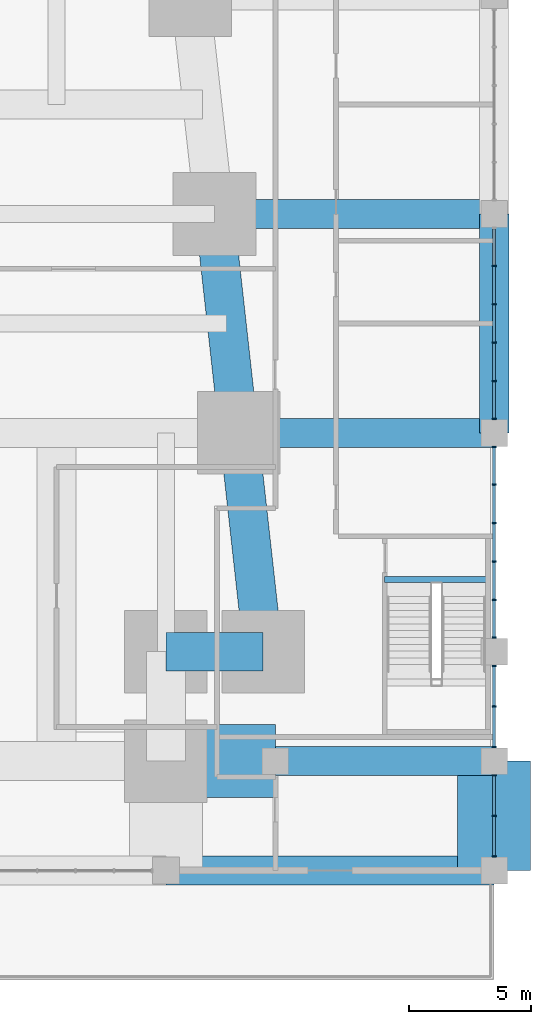
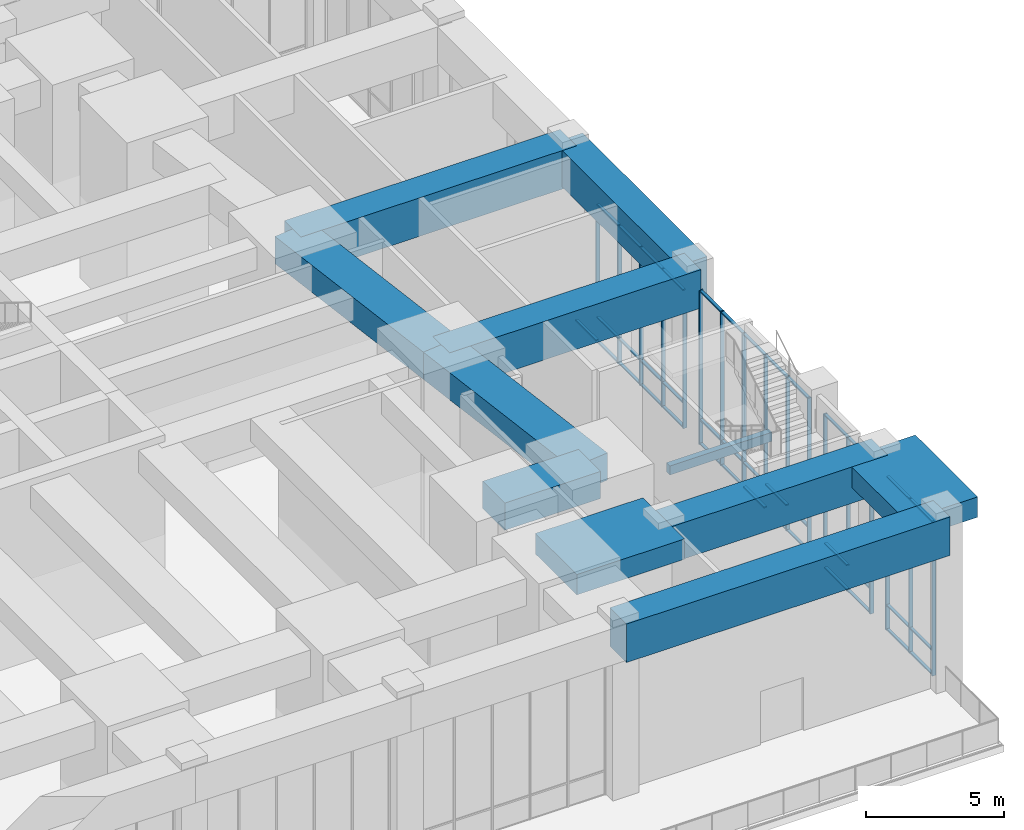
# One storey, part 11 of 26: 57 members, 11 beams, 4 elements without a shape of their own.
"""IFC4 building model written with IfcOpenShell, lengths in metres."""

from ifc_helpers import new_model, si_unit, direction, frame, origin, origin_2d, place, context, subcontext, project, spatial, rectangle, extrude, material, material_profile, profile_set, type_object, element, aggregate, save


model = new_model("IFC4")

# Units and contexts
model_context = context("Model", 3, precision=1e-05, world=origin(), true_north=direction((0.0, 1.0)))
body_context = subcontext(model_context, "Body", "Model", "MODEL_VIEW")
ifc_project = project(units=[si_unit("LENGTHUNIT", "METRE"), si_unit("AREAUNIT", "SQUARE_METRE"), si_unit("VOLUMEUNIT", "CUBIC_METRE"), si_unit("PLANEANGLEUNIT", "RADIAN"), si_unit("MASSUNIT", "GRAM", prefix="KILO")], contexts=[model_context])

# Site, building, storey
site_placement = place(None, origin())
site = spatial("IfcSite", under=ifc_project, at=site_placement, CompositionType="ELEMENT")
building_placement = place(site_placement, origin())
building = spatial("IfcBuilding", under=site, at=building_placement, Name="Kilele Tower Hotel", CompositionType="ELEMENT")
storey_placement = place(building_placement, frame((0.0, 0.0, 11.0)))
storey = spatial("IfcBuildingStorey", under=building, at=storey_placement, Name="L02", CompositionType="ELEMENT", Elevation=11.0)

# Beams
ifc_material_1 = material(Name="Concrete C60/75", Category="concrete")
ifc_material_profile_1 = material_profile(ifc_material_1, rectangle(XDim=1.199951171875, YDim=1.60009765625, at=origin_2d()))
ifc_profile_set_1 = profile_set([ifc_material_profile_1], Name="Concrete C60/75")
beam_type_1 = type_object("IfcBeamType", Name="Beam RC 1200x1600 C60/75", PredefinedType="BEAM", material=ifc_profile_set_1)
for number, where, z_axis, x_axis, name in (
    (1, (58.5, 13.5, 6.89990234375), (0.0, 1.0, 0.0), (-1.0, 0.0, 0.0), "Beam PB2 level L03"),
    (2, (49.5, 0.0, 6.89990234375), (1.0, 0.0, 0.0), (0.0, 1.0, 0.0), "Beam PB2 level L03"),
):
    element("IfcBeam", number, at=place(storey_placement, frame(where, z_axis=z_axis, x_axis=x_axis)), inside=storey, type_object=beam_type_1, Name=name, PredefinedType="BEAM", context=body_context, shape_type="SweptSolid", body=[
        extrude(rectangle(XDim=1.199951171875, YDim=1.60009765625, at=origin_2d()), origin(), (0.0, 0.0, 1.0), 9.0),
    ])
ifc_material_2 = material(Name="Concrete C60/75", Category="concrete")
ifc_material_profile_2 = material_profile(ifc_material_2, rectangle(XDim=1.199951171875, YDim=1.699951171875, at=origin_2d()))
ifc_profile_set_2 = profile_set([ifc_material_profile_2], Name="Concrete C60/75")
beam_type_2 = type_object("IfcBeamType", Name="Beam RC 1200x1700 C60/75", PredefinedType="BEAM", material=ifc_profile_set_2)
beam_1_placement = place(storey_placement, frame((45.0, -4.5, 6.85009765625), z_axis=(1.0, 0.0, 0.0), x_axis=(0.0, 1.0, 0.0)))
element("IfcBeam", 3, at=beam_1_placement, inside=storey, type_object=beam_type_2, Name="Beam PB3 level L03", PredefinedType="BEAM", context=body_context, shape_type="SweptSolid", body=[
    extrude(rectangle(XDim=1.199951171875, YDim=1.699951171875, at=origin_2d()), origin(), (0.0, 0.0, 1.0), 13.5),
])
ifc_material_3 = material(Name="Concrete C60/75", Category="concrete")
ifc_material_profile_3 = material_profile(ifc_material_3, rectangle(XDim=1.199951171875, YDim=1.699951171875, at=origin_2d()))
ifc_profile_set_3 = profile_set([ifc_material_profile_3], Name="Concrete C60/75")
beam_type_3 = type_object("IfcBeamType", Name="Beam RC 1200x1700 C60/75 mid span", PredefinedType="BEAM", material=ifc_profile_set_3)
beam_2_placement = place(storey_placement, frame((48.0, 13.5, 6.85009765625), z_axis=(1.0, 0.0, 0.0), x_axis=(0.0, 1.0, 0.0)))
element("IfcBeam", 4, at=beam_2_placement, inside=storey, type_object=beam_type_3, Name="Beam PB4 level L03", PredefinedType="BEAM", context=body_context, shape_type="SweptSolid", body=[
    extrude(rectangle(XDim=1.199951171875, YDim=1.699951171875, at=origin_2d()), origin(), (0.0, 0.0, 1.0), 10.5),
])
beam_3_placement = place(storey_placement, frame((47.0, 22.5, 6.85009765625), z_axis=(1.0, 0.0, 0.0), x_axis=(0.0, 1.0, 0.0)))
element("IfcBeam", 5, at=beam_3_placement, inside=storey, type_object=beam_type_3, Name="Beam PB4 level L03", PredefinedType="BEAM", context=body_context, shape_type="SweptSolid", body=[
    extrude(rectangle(XDim=1.199951171875, YDim=1.699951171875, at=origin_2d()), origin(), (0.0, 0.0, 1.0), 11.5),
])
ifc_material_4 = material(Name="Concrete C60/75", Category="concrete")
ifc_material_profile_4 = material_profile(ifc_material_4, rectangle(XDim=3.0, YDim=0.89990234375, at=origin_2d()))
ifc_profile_set_4 = profile_set([ifc_material_profile_4], Name="Concrete C60/75")
beam_type_4 = type_object("IfcBeamType", Name="Beam RC 3000x900 C60/75", PredefinedType="BEAM", material=ifc_profile_set_4)
for number, where, z_axis, x_axis, name in (
    (6, (45.0, 0.0, 7.25), (1.0, 0.0, 0.0), (0.0, 1.0, 0.0), "Beam PB1 level L03"),
    (7, (58.5, -4.5, 7.25), (0.0, 1.0, 0.0), (-1.0, 0.0, 0.0), "Beam PB1 level L03"),
):
    element("IfcBeam", number, at=place(storey_placement, frame(where, z_axis=z_axis, x_axis=x_axis)), inside=storey, type_object=beam_type_4, Name=name, PredefinedType="BEAM", context=body_context, shape_type="SweptSolid", body=[
        extrude(rectangle(XDim=3.0, YDim=0.89990234375, at=origin_2d()), origin(), (0.0, 0.0, 1.0), 4.5),
    ])
ifc_material_5 = material(Name="Concrete C40/50", Category="concrete")
ifc_material_profile_5 = material_profile(ifc_material_5, rectangle(XDim=0.25, YDim=0.39990234375, at=origin_2d()))
ifc_profile_set_5 = profile_set([ifc_material_profile_5], Name="Concrete C40/50")
beam_type_5 = type_object("IfcBeamType", Name="Landing beam RC 250x400 C40/50", PredefinedType="BEAM", material=ifc_profile_set_5)
beam_4_placement = place(storey_placement, frame((54.0, 7.47509765625, 3.77392578125), z_axis=(1.0, 0.0, 0.0), x_axis=(0.0, 1.0, 0.0)))
element("IfcBeam", 8, at=beam_4_placement, inside=storey, type_object=beam_type_5, Name="Landing beam ST5 L02", PredefinedType="BEAM", context=body_context, shape_type="SweptSolid", body=[
    extrude(rectangle(XDim=0.25, YDim=0.39990234375, at=origin_2d()), origin(), (0.0, 0.0, 1.0), 4.25),
])

# Curtain wall, members
ifc_material_6 = material(Name="Aluminium curtain wall, clear double glazing", Category="aluminium")
curtain_wall_type = type_object("IfcCurtainWallType", Name="Podium side curtain wall CW-2", PredefinedType="NOTDEFINED", material=ifc_material_6)
curtain_wall_1_placement = place(storey_placement, origin())
curtain_wall_1 = element("IfcCurtainWall", 9, at=curtain_wall_1_placement, inside=storey, type_object=curtain_wall_type, Name="Podium side curtain wall CW-2 L02", PredefinedType="NOTDEFINED")
ifc_material_7 = material(Name="Aluminium EN AW-6063 T6", Category="aluminium")
ifc_material_profile_6 = material_profile(ifc_material_7, rectangle(XDim=0.159912109375, YDim=0.06005859375, at=origin_2d()))
ifc_profile_set_6 = profile_set([ifc_material_profile_6], Name="Aluminium EN AW-6063 T6")
member_type_1 = type_object("IfcMemberType", Name="Mullion 60x160 CW-2", PredefinedType="MULLION", material=ifc_profile_set_6)
member_1_placement = place(storey_placement, frame((58.5, -3.919921875, 0.0), z_axis=(0.0, 0.0, 1.0), x_axis=(-1.0, 0.0, 0.0)))
member_1 = element("IfcMember", 10, at=member_1_placement, type_object=member_type_1, Name="CW-2 mullion 1", PredefinedType="MULLION", context=body_context, shape_type="SweptSolid", body=[
    extrude(rectangle(XDim=0.159912109375, YDim=0.06005859375, at=origin_2d()), origin(), (0.0, 0.0, 1.0), 6.800048828125),
])
member_2_placement = place(storey_placement, frame((58.5, -2.25, 0.0), z_axis=(0.0, 0.0, 1.0), x_axis=(-1.0, 0.0, 0.0)))
member_2 = element("IfcMember", 11, at=member_2_placement, type_object=member_type_1, Name="CW-2 mullion 2", PredefinedType="MULLION", context=body_context, shape_type="SweptSolid", body=[
    extrude(rectangle(XDim=0.159912109375, YDim=0.06005859375, at=origin_2d()), origin(), (0.0, 0.0, 1.0), 6.800048828125),
])
member_3_placement = place(storey_placement, frame((58.5, -0.580078125, 0.0), z_axis=(0.0, 0.0, 1.0), x_axis=(-1.0, 0.0, 0.0)))
member_3 = element("IfcMember", 12, at=member_3_placement, type_object=member_type_1, Name="CW-2 mullion 3", PredefinedType="MULLION", context=body_context, shape_type="SweptSolid", body=[
    extrude(rectangle(XDim=0.159912109375, YDim=0.06005859375, at=origin_2d()), origin(), (0.0, 0.0, 1.0), 6.800048828125),
])

curtain_wall_2_placement = place(storey_placement, origin())
curtain_wall_2 = element("IfcCurtainWall", 13, at=curtain_wall_2_placement, inside=storey, type_object=curtain_wall_type, Name="Podium side curtain wall CW-2 L02", PredefinedType="NOTDEFINED")
member_4_placement = place(storey_placement, frame((58.5, 0.580078125, 0.0), z_axis=(0.0, 0.0, 1.0), x_axis=(-1.0, 0.0, 0.0)))
member_4 = element("IfcMember", 14, at=member_4_placement, type_object=member_type_1, Name="CW-2 mullion 1", PredefinedType="MULLION", context=body_context, shape_type="SweptSolid", body=[
    extrude(rectangle(XDim=0.159912109375, YDim=0.06005859375, at=origin_2d()), origin(), (0.0, 0.0, 1.0), 6.800048828125),
])
member_5_placement = place(storey_placement, frame((58.5, 2.25, 0.0), z_axis=(0.0, 0.0, 1.0), x_axis=(-1.0, 0.0, 0.0)))
member_5 = element("IfcMember", 15, at=member_5_placement, type_object=member_type_1, Name="CW-2 mullion 2", PredefinedType="MULLION", context=body_context, shape_type="SweptSolid", body=[
    extrude(rectangle(XDim=0.159912109375, YDim=0.06005859375, at=origin_2d()), origin(), (0.0, 0.0, 1.0), 6.800048828125),
])
member_6_placement = place(storey_placement, frame((58.5, 3.919921875, 0.0), z_axis=(0.0, 0.0, 1.0), x_axis=(-1.0, 0.0, 0.0)))
member_6 = element("IfcMember", 16, at=member_6_placement, type_object=member_type_1, Name="CW-2 mullion 3", PredefinedType="MULLION", context=body_context, shape_type="SweptSolid", body=[
    extrude(rectangle(XDim=0.159912109375, YDim=0.06005859375, at=origin_2d()), origin(), (0.0, 0.0, 1.0), 6.800048828125),
])

curtain_wall_3_placement = place(storey_placement, origin())
curtain_wall_3 = element("IfcCurtainWall", 17, at=curtain_wall_3_placement, inside=storey, type_object=curtain_wall_type, Name="Podium side curtain wall CW-2 L02", PredefinedType="NOTDEFINED")
member_7_placement = place(storey_placement, frame((58.5, 5.080078125, 0.0), z_axis=(0.0, 0.0, 1.0), x_axis=(-1.0, 0.0, 0.0)))
member_7 = element("IfcMember", 18, at=member_7_placement, type_object=member_type_1, Name="CW-2 mullion 1", PredefinedType="MULLION", context=body_context, shape_type="SweptSolid", body=[
    extrude(rectangle(XDim=0.159912109375, YDim=0.06005859375, at=origin_2d()), origin(), (0.0, 0.0, 1.0), 6.800048828125),
])
member_8_placement = place(storey_placement, frame((58.5, 6.6298828125, 0.0), z_axis=(0.0, 0.0, 1.0), x_axis=(-1.0, 0.0, 0.0)))
member_8 = element("IfcMember", 19, at=member_8_placement, type_object=member_type_1, Name="CW-2 mullion 2", PredefinedType="MULLION", context=body_context, shape_type="SweptSolid", body=[
    extrude(rectangle(XDim=0.159912109375, YDim=0.06005859375, at=origin_2d()), origin(), (0.0, 0.0, 1.0), 6.800048828125),
])
member_9_placement = place(storey_placement, frame((58.5, 8.2099609375, 0.0), z_axis=(0.0, 0.0, 1.0), x_axis=(-1.0, 0.0, 0.0)))
member_9 = element("IfcMember", 20, at=member_9_placement, type_object=member_type_1, Name="CW-2 mullion 3", PredefinedType="MULLION", context=body_context, shape_type="SweptSolid", body=[
    extrude(rectangle(XDim=0.159912109375, YDim=0.06005859375, at=origin_2d()), origin(), (0.0, 0.0, 1.0), 6.800048828125),
])
member_10_placement = place(storey_placement, frame((58.5, 9.7900390625, 0.0), z_axis=(0.0, 0.0, 1.0), x_axis=(-1.0, 0.0, 0.0)))
member_10 = element("IfcMember", 21, at=member_10_placement, type_object=member_type_1, Name="CW-2 mullion 4", PredefinedType="MULLION", context=body_context, shape_type="SweptSolid", body=[
    extrude(rectangle(XDim=0.159912109375, YDim=0.06005859375, at=origin_2d()), origin(), (0.0, 0.0, 1.0), 6.800048828125),
])
member_11_placement = place(storey_placement, frame((58.5, 11.3701171875, 0.0), z_axis=(0.0, 0.0, 1.0), x_axis=(-1.0, 0.0, 0.0)))
member_11 = element("IfcMember", 22, at=member_11_placement, type_object=member_type_1, Name="CW-2 mullion 5", PredefinedType="MULLION", context=body_context, shape_type="SweptSolid", body=[
    extrude(rectangle(XDim=0.159912109375, YDim=0.06005859375, at=origin_2d()), origin(), (0.0, 0.0, 1.0), 6.800048828125),
])
member_12_placement = place(storey_placement, frame((58.5, 12.919921875, 0.0), z_axis=(0.0, 0.0, 1.0), x_axis=(-1.0, 0.0, 0.0)))
member_12 = element("IfcMember", 23, at=member_12_placement, type_object=member_type_1, Name="CW-2 mullion 6", PredefinedType="MULLION", context=body_context, shape_type="SweptSolid", body=[
    extrude(rectangle(XDim=0.159912109375, YDim=0.06005859375, at=origin_2d()), origin(), (0.0, 0.0, 1.0), 6.800048828125),
])

curtain_wall_4_placement = place(storey_placement, origin())
curtain_wall_4 = element("IfcCurtainWall", 24, at=curtain_wall_4_placement, inside=storey, type_object=curtain_wall_type, Name="Podium side curtain wall CW-2 L02", PredefinedType="NOTDEFINED")
member_13_placement = place(storey_placement, frame((58.5, 14.080078125, 0.0), z_axis=(0.0, 0.0, 1.0), x_axis=(-1.0, 0.0, 0.0)))
member_13 = element("IfcMember", 25, at=member_13_placement, type_object=member_type_1, Name="CW-2 mullion 1", PredefinedType="MULLION", context=body_context, shape_type="SweptSolid", body=[
    extrude(rectangle(XDim=0.159912109375, YDim=0.06005859375, at=origin_2d()), origin(), (0.0, 0.0, 1.0), 6.10009765625),
])
member_14_placement = place(storey_placement, frame((58.5, 15.6298828125, 0.0), z_axis=(0.0, 0.0, 1.0), x_axis=(-1.0, 0.0, 0.0)))
member_14 = element("IfcMember", 26, at=member_14_placement, type_object=member_type_1, Name="CW-2 mullion 2", PredefinedType="MULLION", context=body_context, shape_type="SweptSolid", body=[
    extrude(rectangle(XDim=0.159912109375, YDim=0.06005859375, at=origin_2d()), origin(), (0.0, 0.0, 1.0), 6.10009765625),
])
member_15_placement = place(storey_placement, frame((58.5, 17.2099609375, 0.0), z_axis=(0.0, 0.0, 1.0), x_axis=(-1.0, 0.0, 0.0)))
member_15 = element("IfcMember", 27, at=member_15_placement, type_object=member_type_1, Name="CW-2 mullion 3", PredefinedType="MULLION", context=body_context, shape_type="SweptSolid", body=[
    extrude(rectangle(XDim=0.159912109375, YDim=0.06005859375, at=origin_2d()), origin(), (0.0, 0.0, 1.0), 6.10009765625),
])
member_16_placement = place(storey_placement, frame((58.5, 18.7900390625, 0.0), z_axis=(0.0, 0.0, 1.0), x_axis=(-1.0, 0.0, 0.0)))
member_16 = element("IfcMember", 28, at=member_16_placement, type_object=member_type_1, Name="CW-2 mullion 4", PredefinedType="MULLION", context=body_context, shape_type="SweptSolid", body=[
    extrude(rectangle(XDim=0.159912109375, YDim=0.06005859375, at=origin_2d()), origin(), (0.0, 0.0, 1.0), 6.10009765625),
])
member_17_placement = place(storey_placement, frame((58.5, 20.3701171875, 0.0), z_axis=(0.0, 0.0, 1.0), x_axis=(-1.0, 0.0, 0.0)))
member_17 = element("IfcMember", 29, at=member_17_placement, type_object=member_type_1, Name="CW-2 mullion 5", PredefinedType="MULLION", context=body_context, shape_type="SweptSolid", body=[
    extrude(rectangle(XDim=0.159912109375, YDim=0.06005859375, at=origin_2d()), origin(), (0.0, 0.0, 1.0), 6.10009765625),
])

# Beams
ifc_material_8 = material(Name="Concrete C60/75", Category="concrete")
ifc_material_profile_7 = material_profile(ifc_material_8, rectangle(XDim=1.60009765625, YDim=1.199951171875, at=origin_2d()))
ifc_profile_set_7 = profile_set([ifc_material_profile_7], Name="Concrete C60/75")
beam_type_6 = type_object("IfcBeamType", Name="Spandrel RC 1600x1200 C60/75", PredefinedType="SPANDREL", material=ifc_profile_set_7)
beam_5_placement = place(storey_placement, frame((45.0, 4.5, 7.10009765625), z_axis=(1.0, 0.0, 0.0), x_axis=(0.0, 1.0, 0.0)))
element("IfcBeam", 30, at=beam_5_placement, inside=storey, type_object=beam_type_6, Name="Spandrel SP11 level L03", PredefinedType="SPANDREL", context=body_context, shape_type="SweptSolid", body=[
    extrude(rectangle(XDim=1.60009765625, YDim=1.199951171875, at=origin_2d()), origin(), (0.0, 0.0, 1.0), 4.0),
])
for number, where, z_axis, x_axis, name in (
    (31, (49.0, 4.5, 7.10009765625), (-0.110431526075, 0.993883734674, 0.0), (-0.993883734674, -0.110431526075, 0.0), "Spandrel SP11 level L03"),
    (32, (48.0, 13.5, 7.10009765625), (-0.110431526075, 0.993883734674, 0.0), (-0.993883734674, -0.110431526075, 0.0), "Spandrel SP11 level L03"),
):
    element("IfcBeam", number, at=place(storey_placement, frame(where, z_axis=z_axis, x_axis=x_axis)), inside=storey, type_object=beam_type_6, Name=name, PredefinedType="SPANDREL", context=body_context, shape_type="SweptSolid", body=[
        extrude(rectangle(XDim=1.60009765625, YDim=1.199951171875, at=origin_2d()), origin(), (0.0, 0.0, 1.0), 9.055419921875),
    ])

# Member
ifc_material_9 = material(Name="Aluminium EN AW-6063 T6", Category="aluminium")
ifc_material_profile_8 = material_profile(ifc_material_9, rectangle(XDim=0.1201171875, YDim=0.06005859375, at=origin_2d()))
ifc_profile_set_8 = profile_set([ifc_material_profile_8], Name="Aluminium EN AW-6063 T6")
member_type_2 = type_object("IfcMemberType", Name="Transom 60x120 CW-2", PredefinedType="USERDEFINED", material=ifc_profile_set_8)
member_18_placement = place(storey_placement, frame((58.5, -3.889892578125, 0.030029296875), z_axis=(0.0, 1.0, 0.0), x_axis=(-1.0, 0.0, 0.0)))
member_18 = element("IfcMember", 33, at=member_18_placement, type_object=member_type_2, Name="CW-2 transom 1.1", ObjectType="TRANSOM", PredefinedType="USERDEFINED", context=body_context, shape_type="SweptSolid", body=[
    extrude(rectangle(XDim=0.1201171875, YDim=0.06005859375, at=origin_2d()), origin(), (0.0, 0.0, 1.0), 1.60986328125),
])

member_19_placement = place(storey_placement, frame((58.5, -3.889892578125, 1.10009765625), z_axis=(0.0, 1.0, 0.0), x_axis=(-1.0, 0.0, 0.0)))
member_19 = element("IfcMember", 34, at=member_19_placement, type_object=member_type_2, Name="CW-2 transom 1.2", ObjectType="TRANSOM", PredefinedType="USERDEFINED", context=body_context, shape_type="SweptSolid", body=[
    extrude(rectangle(XDim=0.1201171875, YDim=0.06005859375, at=origin_2d()), origin(), (0.0, 0.0, 1.0), 1.60986328125),
])

member_20_placement = place(storey_placement, frame((58.5, -3.889892578125, 6.77001953125), z_axis=(0.0, 1.0, 0.0), x_axis=(-1.0, 0.0, 0.0)))
member_20 = element("IfcMember", 35, at=member_20_placement, type_object=member_type_2, Name="CW-2 transom 1.3", ObjectType="TRANSOM", PredefinedType="USERDEFINED", context=body_context, shape_type="SweptSolid", body=[
    extrude(rectangle(XDim=0.1201171875, YDim=0.06005859375, at=origin_2d()), origin(), (0.0, 0.0, 1.0), 1.60986328125),
])

member_21_placement = place(storey_placement, frame((58.5, -2.219970703125, 0.030029296875), z_axis=(0.0, 1.0, 0.0), x_axis=(-1.0, 0.0, 0.0)))
member_21 = element("IfcMember", 36, at=member_21_placement, type_object=member_type_2, Name="CW-2 transom 2.1", ObjectType="TRANSOM", PredefinedType="USERDEFINED", context=body_context, shape_type="SweptSolid", body=[
    extrude(rectangle(XDim=0.1201171875, YDim=0.06005859375, at=origin_2d()), origin(), (0.0, 0.0, 1.0), 1.60986328125),
])

member_22_placement = place(storey_placement, frame((58.5, -2.219970703125, 1.10009765625), z_axis=(0.0, 1.0, 0.0), x_axis=(-1.0, 0.0, 0.0)))
member_22 = element("IfcMember", 37, at=member_22_placement, type_object=member_type_2, Name="CW-2 transom 2.2", ObjectType="TRANSOM", PredefinedType="USERDEFINED", context=body_context, shape_type="SweptSolid", body=[
    extrude(rectangle(XDim=0.1201171875, YDim=0.06005859375, at=origin_2d()), origin(), (0.0, 0.0, 1.0), 1.60986328125),
])

member_23_placement = place(storey_placement, frame((58.5, -2.219970703125, 6.77001953125), z_axis=(0.0, 1.0, 0.0), x_axis=(-1.0, 0.0, 0.0)))
member_23 = element("IfcMember", 38, at=member_23_placement, type_object=member_type_2, Name="CW-2 transom 2.3", ObjectType="TRANSOM", PredefinedType="USERDEFINED", context=body_context, shape_type="SweptSolid", body=[
    extrude(rectangle(XDim=0.1201171875, YDim=0.06005859375, at=origin_2d()), origin(), (0.0, 0.0, 1.0), 1.60986328125),
])

aggregate(curtain_wall_1, [member_1, member_2, member_3, member_18, member_19, member_20, member_21, member_22, member_23])

member_24_placement = place(storey_placement, frame((58.5, 0.610107421875, 0.030029296875), z_axis=(0.0, 1.0, 0.0), x_axis=(-1.0, 0.0, 0.0)))
member_24 = element("IfcMember", 39, at=member_24_placement, type_object=member_type_2, Name="CW-2 transom 1.1", ObjectType="TRANSOM", PredefinedType="USERDEFINED", context=body_context, shape_type="SweptSolid", body=[
    extrude(rectangle(XDim=0.1201171875, YDim=0.06005859375, at=origin_2d()), origin(), (0.0, 0.0, 1.0), 1.60986328125),
])

member_25_placement = place(storey_placement, frame((58.5, 0.610107421875, 1.10009765625), z_axis=(0.0, 1.0, 0.0), x_axis=(-1.0, 0.0, 0.0)))
member_25 = element("IfcMember", 40, at=member_25_placement, type_object=member_type_2, Name="CW-2 transom 1.2", ObjectType="TRANSOM", PredefinedType="USERDEFINED", context=body_context, shape_type="SweptSolid", body=[
    extrude(rectangle(XDim=0.1201171875, YDim=0.06005859375, at=origin_2d()), origin(), (0.0, 0.0, 1.0), 1.60986328125),
])

member_26_placement = place(storey_placement, frame((58.5, 0.610107421875, 6.77001953125), z_axis=(0.0, 1.0, 0.0), x_axis=(-1.0, 0.0, 0.0)))
member_26 = element("IfcMember", 41, at=member_26_placement, type_object=member_type_2, Name="CW-2 transom 1.3", ObjectType="TRANSOM", PredefinedType="USERDEFINED", context=body_context, shape_type="SweptSolid", body=[
    extrude(rectangle(XDim=0.1201171875, YDim=0.06005859375, at=origin_2d()), origin(), (0.0, 0.0, 1.0), 1.60986328125),
])

member_27_placement = place(storey_placement, frame((58.5, 2.280029296875, 0.030029296875), z_axis=(0.0, 1.0, 0.0), x_axis=(-1.0, 0.0, 0.0)))
member_27 = element("IfcMember", 42, at=member_27_placement, type_object=member_type_2, Name="CW-2 transom 2.1", ObjectType="TRANSOM", PredefinedType="USERDEFINED", context=body_context, shape_type="SweptSolid", body=[
    extrude(rectangle(XDim=0.1201171875, YDim=0.06005859375, at=origin_2d()), origin(), (0.0, 0.0, 1.0), 1.60986328125),
])

member_28_placement = place(storey_placement, frame((58.5, 2.280029296875, 1.10009765625), z_axis=(0.0, 1.0, 0.0), x_axis=(-1.0, 0.0, 0.0)))
member_28 = element("IfcMember", 43, at=member_28_placement, type_object=member_type_2, Name="CW-2 transom 2.2", ObjectType="TRANSOM", PredefinedType="USERDEFINED", context=body_context, shape_type="SweptSolid", body=[
    extrude(rectangle(XDim=0.1201171875, YDim=0.06005859375, at=origin_2d()), origin(), (0.0, 0.0, 1.0), 1.60986328125),
])

member_29_placement = place(storey_placement, frame((58.5, 2.280029296875, 6.77001953125), z_axis=(0.0, 1.0, 0.0), x_axis=(-1.0, 0.0, 0.0)))
member_29 = element("IfcMember", 44, at=member_29_placement, type_object=member_type_2, Name="CW-2 transom 2.3", ObjectType="TRANSOM", PredefinedType="USERDEFINED", context=body_context, shape_type="SweptSolid", body=[
    extrude(rectangle(XDim=0.1201171875, YDim=0.06005859375, at=origin_2d()), origin(), (0.0, 0.0, 1.0), 1.60986328125),
])

aggregate(curtain_wall_2, [member_4, member_5, member_6, member_24, member_25, member_26, member_27, member_28, member_29])

member_30_placement = place(storey_placement, frame((58.5, 5.110107421875, 0.030029296875), z_axis=(0.0, 1.0, 0.0), x_axis=(-1.0, 0.0, 0.0)))
member_30 = element("IfcMember", 45, at=member_30_placement, type_object=member_type_2, Name="CW-2 transom 1.1", ObjectType="TRANSOM", PredefinedType="USERDEFINED", context=body_context, shape_type="SweptSolid", body=[
    extrude(rectangle(XDim=0.1201171875, YDim=0.06005859375, at=origin_2d()), origin(), (0.0, 0.0, 1.0), 1.489990234375),
])

member_31_placement = place(storey_placement, frame((58.5, 5.110107421875, 1.10009765625), z_axis=(0.0, 1.0, 0.0), x_axis=(-1.0, 0.0, 0.0)))
member_31 = element("IfcMember", 46, at=member_31_placement, type_object=member_type_2, Name="CW-2 transom 1.2", ObjectType="TRANSOM", PredefinedType="USERDEFINED", context=body_context, shape_type="SweptSolid", body=[
    extrude(rectangle(XDim=0.1201171875, YDim=0.06005859375, at=origin_2d()), origin(), (0.0, 0.0, 1.0), 1.489990234375),
])

member_32_placement = place(storey_placement, frame((58.5, 5.110107421875, 6.77001953125), z_axis=(0.0, 1.0, 0.0), x_axis=(-1.0, 0.0, 0.0)))
member_32 = element("IfcMember", 47, at=member_32_placement, type_object=member_type_2, Name="CW-2 transom 1.3", ObjectType="TRANSOM", PredefinedType="USERDEFINED", context=body_context, shape_type="SweptSolid", body=[
    extrude(rectangle(XDim=0.1201171875, YDim=0.06005859375, at=origin_2d()), origin(), (0.0, 0.0, 1.0), 1.489990234375),
])

member_33_placement = place(storey_placement, frame((58.5, 6.659912109375, 0.030029296875), z_axis=(0.0, 1.0, 0.0), x_axis=(-1.0, 0.0, 0.0)))
member_33 = element("IfcMember", 48, at=member_33_placement, type_object=member_type_2, Name="CW-2 transom 2.1", ObjectType="TRANSOM", PredefinedType="USERDEFINED", context=body_context, shape_type="SweptSolid", body=[
    extrude(rectangle(XDim=0.1201171875, YDim=0.06005859375, at=origin_2d()), origin(), (0.0, 0.0, 1.0), 1.52001953125),
])

member_34_placement = place(storey_placement, frame((58.5, 6.659912109375, 1.10009765625), z_axis=(0.0, 1.0, 0.0), x_axis=(-1.0, 0.0, 0.0)))
member_34 = element("IfcMember", 49, at=member_34_placement, type_object=member_type_2, Name="CW-2 transom 2.2", ObjectType="TRANSOM", PredefinedType="USERDEFINED", context=body_context, shape_type="SweptSolid", body=[
    extrude(rectangle(XDim=0.1201171875, YDim=0.06005859375, at=origin_2d()), origin(), (0.0, 0.0, 1.0), 1.52001953125),
])

member_35_placement = place(storey_placement, frame((58.5, 6.659912109375, 6.77001953125), z_axis=(0.0, 1.0, 0.0), x_axis=(-1.0, 0.0, 0.0)))
member_35 = element("IfcMember", 50, at=member_35_placement, type_object=member_type_2, Name="CW-2 transom 2.3", ObjectType="TRANSOM", PredefinedType="USERDEFINED", context=body_context, shape_type="SweptSolid", body=[
    extrude(rectangle(XDim=0.1201171875, YDim=0.06005859375, at=origin_2d()), origin(), (0.0, 0.0, 1.0), 1.52001953125),
])

member_36_placement = place(storey_placement, frame((58.5, 8.239990234375, 0.030029296875), z_axis=(0.0, 1.0, 0.0), x_axis=(-1.0, 0.0, 0.0)))
member_36 = element("IfcMember", 51, at=member_36_placement, type_object=member_type_2, Name="CW-2 transom 3.1", ObjectType="TRANSOM", PredefinedType="USERDEFINED", context=body_context, shape_type="SweptSolid", body=[
    extrude(rectangle(XDim=0.1201171875, YDim=0.06005859375, at=origin_2d()), origin(), (0.0, 0.0, 1.0), 1.52001953125),
])

member_37_placement = place(storey_placement, frame((58.5, 8.239990234375, 1.10009765625), z_axis=(0.0, 1.0, 0.0), x_axis=(-1.0, 0.0, 0.0)))
member_37 = element("IfcMember", 52, at=member_37_placement, type_object=member_type_2, Name="CW-2 transom 3.2", ObjectType="TRANSOM", PredefinedType="USERDEFINED", context=body_context, shape_type="SweptSolid", body=[
    extrude(rectangle(XDim=0.1201171875, YDim=0.06005859375, at=origin_2d()), origin(), (0.0, 0.0, 1.0), 1.52001953125),
])

member_38_placement = place(storey_placement, frame((58.5, 8.239990234375, 6.77001953125), z_axis=(0.0, 1.0, 0.0), x_axis=(-1.0, 0.0, 0.0)))
member_38 = element("IfcMember", 53, at=member_38_placement, type_object=member_type_2, Name="CW-2 transom 3.3", ObjectType="TRANSOM", PredefinedType="USERDEFINED", context=body_context, shape_type="SweptSolid", body=[
    extrude(rectangle(XDim=0.1201171875, YDim=0.06005859375, at=origin_2d()), origin(), (0.0, 0.0, 1.0), 1.52001953125),
])

member_39_placement = place(storey_placement, frame((58.5, 9.820068359375, 0.030029296875), z_axis=(0.0, 1.0, 0.0), x_axis=(-1.0, 0.0, 0.0)))
member_39 = element("IfcMember", 54, at=member_39_placement, type_object=member_type_2, Name="CW-2 transom 4.1", ObjectType="TRANSOM", PredefinedType="USERDEFINED", context=body_context, shape_type="SweptSolid", body=[
    extrude(rectangle(XDim=0.1201171875, YDim=0.06005859375, at=origin_2d()), origin(), (0.0, 0.0, 1.0), 1.52001953125),
])

member_40_placement = place(storey_placement, frame((58.5, 9.820068359375, 1.10009765625), z_axis=(0.0, 1.0, 0.0), x_axis=(-1.0, 0.0, 0.0)))
member_40 = element("IfcMember", 55, at=member_40_placement, type_object=member_type_2, Name="CW-2 transom 4.2", ObjectType="TRANSOM", PredefinedType="USERDEFINED", context=body_context, shape_type="SweptSolid", body=[
    extrude(rectangle(XDim=0.1201171875, YDim=0.06005859375, at=origin_2d()), origin(), (0.0, 0.0, 1.0), 1.52001953125),
])

member_41_placement = place(storey_placement, frame((58.5, 9.820068359375, 6.77001953125), z_axis=(0.0, 1.0, 0.0), x_axis=(-1.0, 0.0, 0.0)))
member_41 = element("IfcMember", 56, at=member_41_placement, type_object=member_type_2, Name="CW-2 transom 4.3", ObjectType="TRANSOM", PredefinedType="USERDEFINED", context=body_context, shape_type="SweptSolid", body=[
    extrude(rectangle(XDim=0.1201171875, YDim=0.06005859375, at=origin_2d()), origin(), (0.0, 0.0, 1.0), 1.52001953125),
])

member_42_placement = place(storey_placement, frame((58.5, 11.39990234375, 0.030029296875), z_axis=(0.0, 1.0, 0.0), x_axis=(-1.0, 0.0, 0.0)))
member_42 = element("IfcMember", 57, at=member_42_placement, type_object=member_type_2, Name="CW-2 transom 5.1", ObjectType="TRANSOM", PredefinedType="USERDEFINED", context=body_context, shape_type="SweptSolid", body=[
    extrude(rectangle(XDim=0.1201171875, YDim=0.06005859375, at=origin_2d()), origin(), (0.0, 0.0, 1.0), 1.489990234375),
])

member_43_placement = place(storey_placement, frame((58.5, 11.39990234375, 1.10009765625), z_axis=(0.0, 1.0, 0.0), x_axis=(-1.0, 0.0, 0.0)))
member_43 = element("IfcMember", 58, at=member_43_placement, type_object=member_type_2, Name="CW-2 transom 5.2", ObjectType="TRANSOM", PredefinedType="USERDEFINED", context=body_context, shape_type="SweptSolid", body=[
    extrude(rectangle(XDim=0.1201171875, YDim=0.06005859375, at=origin_2d()), origin(), (0.0, 0.0, 1.0), 1.489990234375),
])

member_44_placement = place(storey_placement, frame((58.5, 11.39990234375, 6.77001953125), z_axis=(0.0, 1.0, 0.0), x_axis=(-1.0, 0.0, 0.0)))
member_44 = element("IfcMember", 59, at=member_44_placement, type_object=member_type_2, Name="CW-2 transom 5.3", ObjectType="TRANSOM", PredefinedType="USERDEFINED", context=body_context, shape_type="SweptSolid", body=[
    extrude(rectangle(XDim=0.1201171875, YDim=0.06005859375, at=origin_2d()), origin(), (0.0, 0.0, 1.0), 1.489990234375),
])

aggregate(curtain_wall_3, [member_7, member_8, member_9, member_10, member_11, member_12, member_30, member_31, member_32, member_33, member_34, member_35, member_36, member_37, member_38, member_39, member_40, member_41, member_42, member_43, member_44])

member_45_placement = place(storey_placement, frame((58.5, 14.110107421875, 0.030029296875), z_axis=(0.0, 1.0, 0.0), x_axis=(-1.0, 0.0, 0.0)))
member_45 = element("IfcMember", 60, at=member_45_placement, type_object=member_type_2, Name="CW-2 transom 1.1", ObjectType="TRANSOM", PredefinedType="USERDEFINED", context=body_context, shape_type="SweptSolid", body=[
    extrude(rectangle(XDim=0.1201171875, YDim=0.06005859375, at=origin_2d()), origin(), (0.0, 0.0, 1.0), 1.489990234375),
])

member_46_placement = place(storey_placement, frame((58.5, 14.110107421875, 1.10009765625), z_axis=(0.0, 1.0, 0.0), x_axis=(-1.0, 0.0, 0.0)))
member_46 = element("IfcMember", 61, at=member_46_placement, type_object=member_type_2, Name="CW-2 transom 1.2", ObjectType="TRANSOM", PredefinedType="USERDEFINED", context=body_context, shape_type="SweptSolid", body=[
    extrude(rectangle(XDim=0.1201171875, YDim=0.06005859375, at=origin_2d()), origin(), (0.0, 0.0, 1.0), 1.489990234375),
])

member_47_placement = place(storey_placement, frame((58.5, 14.110107421875, 6.070068359375), z_axis=(0.0, 1.0, 0.0), x_axis=(-1.0, 0.0, 0.0)))
member_47 = element("IfcMember", 62, at=member_47_placement, type_object=member_type_2, Name="CW-2 transom 1.3", ObjectType="TRANSOM", PredefinedType="USERDEFINED", context=body_context, shape_type="SweptSolid", body=[
    extrude(rectangle(XDim=0.1201171875, YDim=0.06005859375, at=origin_2d()), origin(), (0.0, 0.0, 1.0), 1.489990234375),
])

member_48_placement = place(storey_placement, frame((58.5, 15.659912109375, 0.030029296875), z_axis=(0.0, 1.0, 0.0), x_axis=(-1.0, 0.0, 0.0)))
member_48 = element("IfcMember", 63, at=member_48_placement, type_object=member_type_2, Name="CW-2 transom 2.1", ObjectType="TRANSOM", PredefinedType="USERDEFINED", context=body_context, shape_type="SweptSolid", body=[
    extrude(rectangle(XDim=0.1201171875, YDim=0.06005859375, at=origin_2d()), origin(), (0.0, 0.0, 1.0), 1.52001953125),
])

member_49_placement = place(storey_placement, frame((58.5, 15.659912109375, 1.10009765625), z_axis=(0.0, 1.0, 0.0), x_axis=(-1.0, 0.0, 0.0)))
member_49 = element("IfcMember", 64, at=member_49_placement, type_object=member_type_2, Name="CW-2 transom 2.2", ObjectType="TRANSOM", PredefinedType="USERDEFINED", context=body_context, shape_type="SweptSolid", body=[
    extrude(rectangle(XDim=0.1201171875, YDim=0.06005859375, at=origin_2d()), origin(), (0.0, 0.0, 1.0), 1.52001953125),
])

member_50_placement = place(storey_placement, frame((58.5, 15.659912109375, 6.070068359375), z_axis=(0.0, 1.0, 0.0), x_axis=(-1.0, 0.0, 0.0)))
member_50 = element("IfcMember", 65, at=member_50_placement, type_object=member_type_2, Name="CW-2 transom 2.3", ObjectType="TRANSOM", PredefinedType="USERDEFINED", context=body_context, shape_type="SweptSolid", body=[
    extrude(rectangle(XDim=0.1201171875, YDim=0.06005859375, at=origin_2d()), origin(), (0.0, 0.0, 1.0), 1.52001953125),
])

member_51_placement = place(storey_placement, frame((58.5, 17.239990234375, 0.030029296875), z_axis=(0.0, 1.0, 0.0), x_axis=(-1.0, 0.0, 0.0)))
member_51 = element("IfcMember", 66, at=member_51_placement, type_object=member_type_2, Name="CW-2 transom 3.1", ObjectType="TRANSOM", PredefinedType="USERDEFINED", context=body_context, shape_type="SweptSolid", body=[
    extrude(rectangle(XDim=0.1201171875, YDim=0.06005859375, at=origin_2d()), origin(), (0.0, 0.0, 1.0), 1.52001953125),
])

member_52_placement = place(storey_placement, frame((58.5, 17.239990234375, 1.10009765625), z_axis=(0.0, 1.0, 0.0), x_axis=(-1.0, 0.0, 0.0)))
member_52 = element("IfcMember", 67, at=member_52_placement, type_object=member_type_2, Name="CW-2 transom 3.2", ObjectType="TRANSOM", PredefinedType="USERDEFINED", context=body_context, shape_type="SweptSolid", body=[
    extrude(rectangle(XDim=0.1201171875, YDim=0.06005859375, at=origin_2d()), origin(), (0.0, 0.0, 1.0), 1.52001953125),
])

member_53_placement = place(storey_placement, frame((58.5, 17.239990234375, 6.070068359375), z_axis=(0.0, 1.0, 0.0), x_axis=(-1.0, 0.0, 0.0)))
member_53 = element("IfcMember", 68, at=member_53_placement, type_object=member_type_2, Name="CW-2 transom 3.3", ObjectType="TRANSOM", PredefinedType="USERDEFINED", context=body_context, shape_type="SweptSolid", body=[
    extrude(rectangle(XDim=0.1201171875, YDim=0.06005859375, at=origin_2d()), origin(), (0.0, 0.0, 1.0), 1.52001953125),
])

member_54_placement = place(storey_placement, frame((58.5, 18.820068359375, 0.030029296875), z_axis=(0.0, 1.0, 0.0), x_axis=(-1.0, 0.0, 0.0)))
member_54 = element("IfcMember", 69, at=member_54_placement, type_object=member_type_2, Name="CW-2 transom 4.1", ObjectType="TRANSOM", PredefinedType="USERDEFINED", context=body_context, shape_type="SweptSolid", body=[
    extrude(rectangle(XDim=0.1201171875, YDim=0.06005859375, at=origin_2d()), origin(), (0.0, 0.0, 1.0), 1.52001953125),
])

member_55_placement = place(storey_placement, frame((58.5, 18.820068359375, 1.10009765625), z_axis=(0.0, 1.0, 0.0), x_axis=(-1.0, 0.0, 0.0)))
member_55 = element("IfcMember", 70, at=member_55_placement, type_object=member_type_2, Name="CW-2 transom 4.2", ObjectType="TRANSOM", PredefinedType="USERDEFINED", context=body_context, shape_type="SweptSolid", body=[
    extrude(rectangle(XDim=0.1201171875, YDim=0.06005859375, at=origin_2d()), origin(), (0.0, 0.0, 1.0), 1.52001953125),
])

member_56_placement = place(storey_placement, frame((58.5, 18.820068359375, 6.070068359375), z_axis=(0.0, 1.0, 0.0), x_axis=(-1.0, 0.0, 0.0)))
member_56 = element("IfcMember", 71, at=member_56_placement, type_object=member_type_2, Name="CW-2 transom 4.3", ObjectType="TRANSOM", PredefinedType="USERDEFINED", context=body_context, shape_type="SweptSolid", body=[
    extrude(rectangle(XDim=0.1201171875, YDim=0.06005859375, at=origin_2d()), origin(), (0.0, 0.0, 1.0), 1.52001953125),
])

member_57_placement = place(storey_placement, frame((58.5, 20.39990234375, 0.030029296875), z_axis=(0.0, 1.0, 0.0), x_axis=(-1.0, 0.0, 0.0)))
member_57 = element("IfcMember", 72, at=member_57_placement, type_object=member_type_2, Name="CW-2 transom 5.1", ObjectType="TRANSOM", PredefinedType="USERDEFINED", context=body_context, shape_type="SweptSolid", body=[
    extrude(rectangle(XDim=0.1201171875, YDim=0.06005859375, at=origin_2d()), origin(), (0.0, 0.0, 1.0), 1.489990234375),
])

aggregate(curtain_wall_4, [member_13, member_14, member_15, member_16, member_17, member_45, member_46, member_47, member_48, member_49, member_50, member_51, member_52, member_53, member_54, member_55, member_56, member_57])

save(model, "model.ifc")
